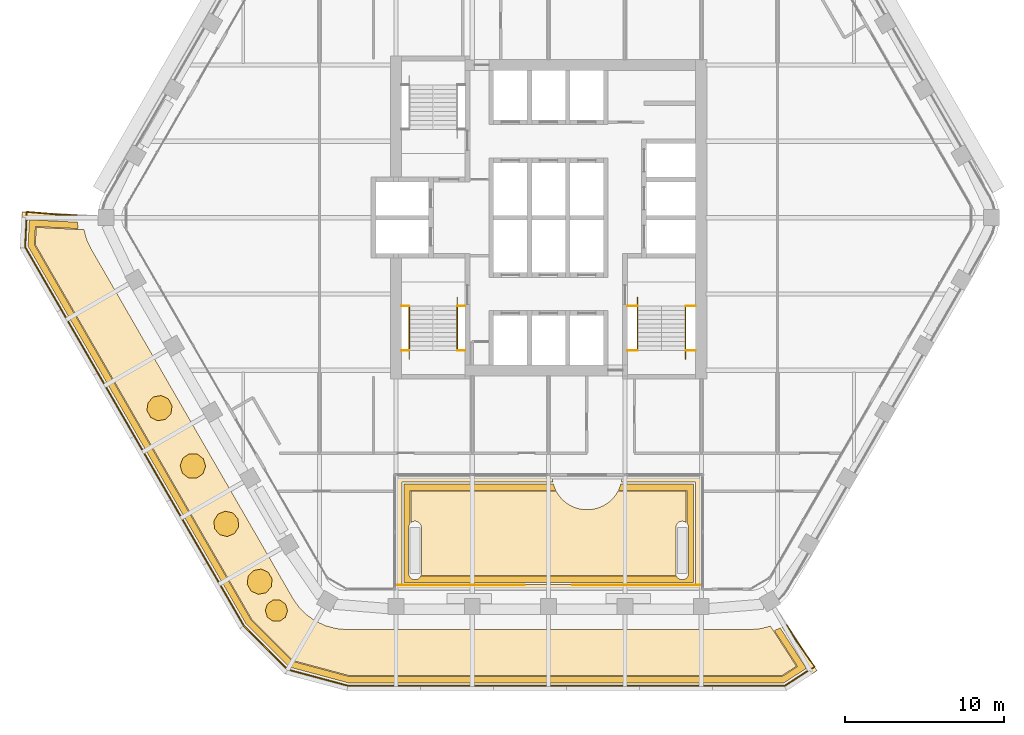
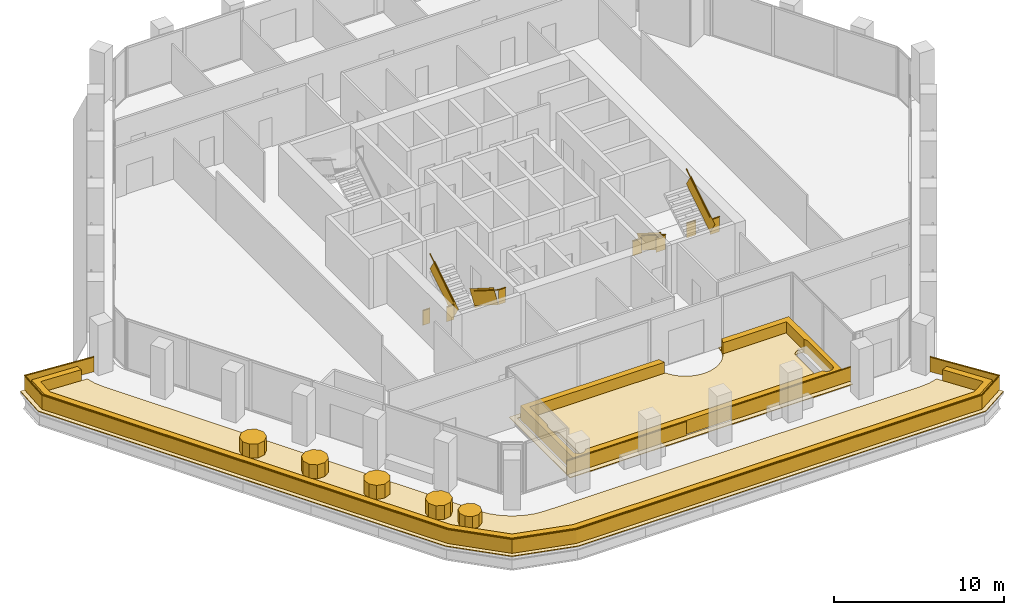
# One storey, part 17 of 18: 11 coverings, 6 railings.
"""IFC4 building model written with IfcOpenShell, lengths in metres."""

from ifc_helpers import new_model, si_unit, direction, frame, frame_2d, origin, origin_2d, place, context, subcontext, project, spatial, polyline, rectangle, outline, extrude, material, layer, layer_set, type_object, element, save


model = new_model("IFC4")

# Units and contexts
model_context = context("Model", 3, precision=1e-05, world=origin(), true_north=direction((0.0, 1.0)))
body_context = subcontext(model_context, "Body", "Model", "MODEL_VIEW")
ifc_project = project(units=[si_unit("LENGTHUNIT", "METRE"), si_unit("AREAUNIT", "SQUARE_METRE"), si_unit("VOLUMEUNIT", "CUBIC_METRE"), si_unit("PLANEANGLEUNIT", "RADIAN"), si_unit("MASSUNIT", "GRAM", prefix="KILO")], contexts=[model_context])

# Site, building, storey
site_placement = place(None, origin())
site = spatial("IfcSite", under=ifc_project, at=site_placement, CompositionType="ELEMENT")
building_placement = place(site_placement, origin())
building = spatial("IfcBuilding", under=site, at=building_placement, Name="Kolab Exchange Tower", CompositionType="ELEMENT")
storey_placement = place(building_placement, frame((0.0, 0.0, 212.89990234375)))
storey = spatial("IfcBuildingStorey", under=building, at=storey_placement, Name="L46", CompositionType="ELEMENT", Elevation=212.89990234375)

# Coverings
ifc_material_1 = material(Name="Flowering shrub planting", Category="soil")
ifc_layer_1 = layer(ifc_material_1, 1.0)
ifc_layer_set_1 = layer_set([ifc_layer_1], Name="Flowering shrub planting")
covering_type_1 = type_object("IfcCoveringType", Name="FLOWERING SHRUB PLANTING", PredefinedType="USERDEFINED", material=ifc_layer_set_1)
covering_1_placement = place(storey_placement, frame((0.0, 0.0, 0.25)))
element("IfcCovering", 1, at=covering_1_placement, inside=storey, type_object=covering_type_1, Name="Flowering shrub", ObjectType="PLANTING", PredefinedType="USERDEFINED", context=body_context, shape_type="SweptSolid", body=[
    extrude(outline(polyline([(-17.379638671875, -22.726806640625), (-17.622802734375, -22.296142578125), (-18.072509765625, -22.0908203125), (-18.55712890625, -22.189208984375), (-18.891357421875, -22.553466796875), (-18.94775390625, -23.044677734375), (-18.70458984375, -23.47509765625), (-18.254638671875, -23.680419921875), (-17.770263671875, -23.582275390625), (-17.435791015625, -23.218017578125), (-17.379638671875, -22.726806640625)])), origin(), (0.0, 0.0, 1.0), 1.0),
])
covering_2_placement = place(storey_placement, frame((0.0, 0.0, 0.25)))
element("IfcCovering", 2, at=covering_2_placement, inside=storey, type_object=covering_type_1, Name="Flowering shrub", ObjectType="PLANTING", PredefinedType="USERDEFINED", context=body_context, shape_type="SweptSolid", body=[
    extrude(outline(polyline([(-19.52685546875, -18.93701171875), (-19.8505859375, -18.563232421875), (-20.332275390625, -18.451416015625), (-20.78759765625, -18.64404296875), (-21.04296875, -19.0673828125), (-21.00048828125, -19.56005859375), (-20.676513671875, -19.93359375), (-20.195068359375, -20.045654296875), (-19.73974609375, -19.85302734375), (-19.484375, -19.4296875), (-19.52685546875, -18.93701171875)])), origin(), (0.0, 0.0, 1.0), 1.0),
])
covering_3_placement = place(storey_placement, frame((0.0, 0.0, 0.25)))
element("IfcCovering", 3, at=covering_3_placement, inside=storey, type_object=covering_type_1, Name="Flowering shrub", ObjectType="PLANTING", PredefinedType="USERDEFINED", context=body_context, shape_type="SweptSolid", body=[
    extrude(outline(polyline([(-21.703369140625, -15.15966796875), (-22.094970703125, -14.857666015625), (-22.589111328125, -14.84375), (-22.997314453125, -15.123046875), (-23.163330078125, -15.588623046875), (-23.02392578125, -16.06298828125), (-22.63232421875, -16.36474609375), (-22.137939453125, -16.37890625), (-21.72998046875, -16.099609375), (-21.56396484375, -15.634033203125), (-21.703369140625, -15.15966796875)])), origin(), (0.0, 0.0, 1.0), 1.0),
])
covering_4_placement = place(storey_placement, frame((0.0, 0.0, 0.25)))
element("IfcCovering", 4, at=covering_4_placement, inside=storey, type_object=covering_type_1, Name="Flowering shrub", ObjectType="PLANTING", PredefinedType="USERDEFINED", context=body_context, shape_type="SweptSolid", body=[
    extrude(outline(polyline([(-23.90625, -11.400146484375), (-24.35009765625, -11.18212890625), (-24.837158203125, -11.2666015625), (-25.181640625, -11.621337890625), (-25.251953125, -12.11083984375), (-25.02099609375, -12.548095703125), (-24.5771484375, -12.76611328125), (-24.090087890625, -12.681640625), (-23.74560546875, -12.326904296875), (-23.67529296875, -11.83740234375), (-23.90625, -11.400146484375)])), origin(), (0.0, 0.0, 1.0), 1.0),
])

# Railings
ifc_material_2 = material(Name="Stainless steel 316", Category="steel")
railing_type_1 = type_object("IfcRailingType", Name="GUARD 1100", PredefinedType="GUARDRAIL", material=ifc_material_2)
railing_1_placement = place(storey_placement, frame((-9.25, -5.550048828125, 0.0)))
element("IfcRailing", 5, at=railing_1_placement, inside=storey, type_object=railing_type_1, Name="Guard ST3", PredefinedType="GUARDRAIL", context=body_context, shape_type="SweptSolid", body=[
    extrude(rectangle(XDim=0.05, YDim=0.05, at=origin_2d()), frame((0.0, 0.0, 1.0751953125), z_axis=(1.0, 0.0, 0.0), x_axis=(0.0, 1.0, 0.0)), (0.0, 0.0, 1.0), 0.489990234375),
    extrude(rectangle(XDim=0.012, YDim=1.05009765625, at=frame_2d((0.0, 0.525146484375))), frame((0.0, 0.0, 0.0), z_axis=(1.0, 0.0, 0.0), x_axis=(0.0, 1.0, 0.0)), (0.0, 0.0, 1.0), 0.489990234375),
    extrude(rectangle(XDim=0.05, YDim=0.05, at=origin_2d()), frame((3.510009765625, 0.0, 1.0751953125), z_axis=(1.0, 0.0, 0.0), x_axis=(0.0, 1.0, 0.0)), (0.0, 0.0, 1.0), 0.489990234375),
    extrude(rectangle(XDim=0.012, YDim=1.05009765625, at=frame_2d((0.0, 0.525146484375))), frame((3.510009765625, 0.0, 0.0), z_axis=(1.0, 0.0, 0.0), x_axis=(0.0, 1.0, 0.0)), (0.0, 0.0, 1.0), 0.489990234375),
    extrude(rectangle(XDim=0.05, YDim=0.05, at=origin_2d()), frame((0.0, -2.800048828125, 3.025390625), z_axis=(1.0, 0.0, 0.0), x_axis=(0.0, 1.0, 0.0)), (0.0, 0.0, 1.0), 0.489990234375),
    extrude(rectangle(XDim=0.012, YDim=1.05009765625, at=frame_2d((0.0, 0.525146484375))), frame((0.0, -2.800048828125, 1.9501953125), z_axis=(1.0, 0.0, 0.0), x_axis=(0.0, 1.0, 0.0)), (0.0, 0.0, 1.0), 0.489990234375),
    extrude(rectangle(XDim=0.05, YDim=0.05, at=origin_2d()), frame((3.510009765625, -2.800048828125, 3.025390625), z_axis=(1.0, 0.0, 0.0), x_axis=(0.0, 1.0, 0.0)), (0.0, 0.0, 1.0), 0.489990234375),
    extrude(rectangle(XDim=0.012, YDim=1.05009765625, at=frame_2d((0.0, 0.525146484375))), frame((3.510009765625, -2.800048828125, 1.9501953125), z_axis=(1.0, 0.0, 0.0), x_axis=(0.0, 1.0, 0.0)), (0.0, 0.0, 1.0), 0.489990234375),
])
railing_2_placement = place(storey_placement, frame((-5.739990234375, -5.550048828125, 0.177490234375)))
element("IfcRailing", 6, at=railing_2_placement, inside=storey, type_object=railing_type_1, Name="Handrail guard ST3", PredefinedType="GUARDRAIL", context=body_context, shape_type="SweptSolid", body=[
    extrude(rectangle(XDim=0.05, YDim=0.05, at=origin_2d()), frame((0.0, 0.0, 1.0751953125), z_axis=(0.0, -0.844908973607, 0.534910110503), x_axis=(1.0, 0.0, 0.0)), (0.0, 0.0, 1.0), 3.31396484375),
    extrude(rectangle(XDim=0.012, YDim=1.05009765625, at=frame_2d((0.0, 0.525146484375))), frame((0.0, 0.0, 0.0), z_axis=(0.0, -0.844908973607, 0.534910110503), x_axis=(1.0, 0.0, 0.0)), (0.0, 0.0, 1.0), 3.31396484375),
    extrude(rectangle(XDim=0.05, YDim=0.05, at=origin_2d()), frame((-3.02001953125, -2.800048828125, 3.025146484375), z_axis=(0.0, 0.844908973607, 0.534910110503), x_axis=(-1.0, 0.0, 0.0)), (0.0, 0.0, 1.0), 3.31396484375),
    extrude(rectangle(XDim=0.012, YDim=1.05009765625, at=frame_2d((0.0, 0.525146484375))), frame((-3.02001953125, -2.800048828125, 1.949951171875), z_axis=(0.0, 0.844908973607, 0.534910110503), x_axis=(-1.0, 0.0, 0.0)), (0.0, 0.0, 1.0), 3.31396484375),
])
railing_3_placement = place(storey_placement, frame((4.949951171875, -5.550048828125, 0.0)))
element("IfcRailing", 7, at=railing_3_placement, inside=storey, type_object=railing_type_1, Name="Guard ST2", PredefinedType="GUARDRAIL", context=body_context, shape_type="SweptSolid", body=[
    extrude(rectangle(XDim=0.05, YDim=0.05, at=origin_2d()), frame((0.0, 0.0, 1.0751953125), z_axis=(1.0, 0.0, 0.0), x_axis=(0.0, 1.0, 0.0)), (0.0, 0.0, 1.0), 0.64013671875),
    extrude(rectangle(XDim=0.012, YDim=1.05009765625, at=frame_2d((0.0, 0.525146484375))), frame((0.0, 0.0, 0.0), z_axis=(1.0, 0.0, 0.0), x_axis=(0.0, 1.0, 0.0)), (0.0, 0.0, 1.0), 0.64013671875),
    extrude(rectangle(XDim=0.05, YDim=0.05, at=origin_2d()), frame((3.66015625, 0.0, 1.0751953125), z_axis=(1.0, 0.0, 0.0), x_axis=(0.0, 1.0, 0.0)), (0.0, 0.0, 1.0), 0.639892578125),
    extrude(rectangle(XDim=0.012, YDim=1.05009765625, at=frame_2d((0.0, 0.525146484375))), frame((3.66015625, 0.0, 0.0), z_axis=(1.0, 0.0, 0.0), x_axis=(0.0, 1.0, 0.0)), (0.0, 0.0, 1.0), 0.639892578125),
    extrude(rectangle(XDim=0.05, YDim=0.05, at=origin_2d()), frame((0.0, -2.800048828125, 3.025390625), z_axis=(1.0, 0.0, 0.0), x_axis=(0.0, 1.0, 0.0)), (0.0, 0.0, 1.0), 0.64013671875),
    extrude(rectangle(XDim=0.012, YDim=1.05009765625, at=frame_2d((0.0, 0.525146484375))), frame((0.0, -2.800048828125, 1.9501953125), z_axis=(1.0, 0.0, 0.0), x_axis=(0.0, 1.0, 0.0)), (0.0, 0.0, 1.0), 0.64013671875),
    extrude(rectangle(XDim=0.05, YDim=0.05, at=origin_2d()), frame((3.66015625, -2.800048828125, 3.025390625), z_axis=(1.0, 0.0, 0.0), x_axis=(0.0, 1.0, 0.0)), (0.0, 0.0, 1.0), 0.639892578125),
    extrude(rectangle(XDim=0.012, YDim=1.05009765625, at=frame_2d((0.0, 0.525146484375))), frame((3.66015625, -2.800048828125, 1.9501953125), z_axis=(1.0, 0.0, 0.0), x_axis=(0.0, 1.0, 0.0)), (0.0, 0.0, 1.0), 0.639892578125),
])
railing_4_placement = place(storey_placement, frame((5.590087890625, -5.550048828125, 0.177490234375)))
element("IfcRailing", 8, at=railing_4_placement, inside=storey, type_object=railing_type_1, Name="Handrail guard ST2", PredefinedType="GUARDRAIL", context=body_context, shape_type="SweptSolid", body=[
    extrude(rectangle(XDim=0.05, YDim=0.05, at=origin_2d()), frame((0.0, 0.0, 1.0751953125), z_axis=(0.0, -0.844908973607, 0.534910110503), x_axis=(1.0, 0.0, 0.0)), (0.0, 0.0, 1.0), 3.31396484375),
    extrude(rectangle(XDim=0.012, YDim=1.05009765625, at=frame_2d((0.0, 0.525146484375))), frame((0.0, 0.0, 0.0), z_axis=(0.0, -0.844908973607, 0.534910110503), x_axis=(1.0, 0.0, 0.0)), (0.0, 0.0, 1.0), 3.31396484375),
    extrude(rectangle(XDim=0.05, YDim=0.05, at=origin_2d()), frame((3.02001953125, -2.800048828125, 3.025146484375), z_axis=(0.0, 0.844908973607, 0.534910110503), x_axis=(-1.0, 0.0, 0.0)), (0.0, 0.0, 1.0), 3.31396484375),
    extrude(rectangle(XDim=0.012, YDim=1.05009765625, at=frame_2d((0.0, 0.525146484375))), frame((3.02001953125, -2.800048828125, 1.949951171875), z_axis=(0.0, 0.844908973607, 0.534910110503), x_axis=(-1.0, 0.0, 0.0)), (0.0, 0.0, 1.0), 3.31396484375),
])
ifc_material_3 = material(Name="Steel S235", Category="steel")
railing_type_2 = type_object("IfcRailingType", Name="GUARD 1100 GLASS BALUSTRADE AND STEEL TOP RAIL", PredefinedType="GUARDRAIL", material=ifc_material_3)
railing_5_placement = place(storey_placement, frame((14.16796875, -24.53955078125, 0.0)))
element("IfcRailing", 9, at=railing_5_placement, inside=storey, type_object=railing_type_2, Name="Terrace guard", PredefinedType="GUARDRAIL", context=body_context, shape_type="SweptSolid", body=[
    extrude(rectangle(XDim=0.05, YDim=0.05, at=origin_2d()), frame((0.0, 0.0, 1.0751953125), z_axis=(0.570324587803, -0.821419420605, 0.0), x_axis=(0.821419420605, 0.570324587803, 0.0)), (0.0, 0.0, 1.0), 4.496826171875),
    extrude(rectangle(XDim=0.012, YDim=1.05009765625, at=frame_2d((0.0, 0.525146484375))), frame((0.0, 0.0, 0.0), z_axis=(0.570324587803, -0.821419420605, 0.0), x_axis=(0.821419420605, 0.570324587803, 0.0)), (0.0, 0.0, 1.0), 4.496826171875),
    extrude(rectangle(XDim=0.05, YDim=0.05, at=origin_2d()), frame((2.564697265625, -3.69384765625, 1.0751953125), z_axis=(-0.839993562867, -0.542596364108, 0.0), x_axis=(0.542596364108, -0.839993562867, 0.0)), (0.0, 0.0, 1.0), 2.226318359375),
    extrude(rectangle(XDim=0.012, YDim=1.05009765625, at=frame_2d((0.0, 0.525146484375))), frame((2.564697265625, -3.69384765625, 0.0), z_axis=(-0.839993562867, -0.542596364108, 0.0), x_axis=(0.542596364108, -0.839993562867, 0.0)), (0.0, 0.0, 1.0), 2.226318359375),
    extrude(rectangle(XDim=0.05, YDim=0.05, at=origin_2d()), frame((0.694580078125, -4.90185546875, 1.0751953125), z_axis=(-1.0, 0.0, 0.0), x_axis=(0.0, -1.0, 0.0)), (0.0, 0.0, 1.0), 27.490966796875),
    extrude(rectangle(XDim=0.012, YDim=1.05009765625, at=frame_2d((0.0, 0.525146484375))), frame((0.694580078125, -4.90185546875, 0.0), z_axis=(-1.0, 0.0, 0.0), x_axis=(0.0, -1.0, 0.0)), (0.0, 0.0, 1.0), 27.490966796875),
    extrude(rectangle(XDim=0.05, YDim=0.05, at=origin_2d()), frame((-26.79638671875, -4.90185546875, 1.0751953125), z_axis=(-0.965929136584, 0.258806690596, 0.0), x_axis=(-0.258806690596, -0.965929136584, 0.0)), (0.0, 0.0, 1.0), 3.917724609375),
    extrude(rectangle(XDim=0.012, YDim=1.05009765625, at=frame_2d((0.0, 0.525146484375))), frame((-26.79638671875, -4.90185546875, 0.0), z_axis=(-0.965929136584, 0.258806690596, 0.0), x_axis=(-0.258806690596, -0.965929136584, 0.0)), (0.0, 0.0, 1.0), 3.917724609375),
    extrude(rectangle(XDim=0.05, YDim=0.05, at=origin_2d()), frame((-30.58056640625, -3.887939453125, 1.0751953125), z_axis=(-0.707106781187, 0.707106781187, 0.0), x_axis=(-0.707106781187, -0.707106781187, 0.0)), (0.0, 0.0, 1.0), 3.917724609375),
    extrude(rectangle(XDim=0.012, YDim=1.05009765625, at=frame_2d((0.0, 0.525146484375))), frame((-30.58056640625, -3.887939453125, 0.0), z_axis=(-0.707106781187, 0.707106781187, 0.0), x_axis=(-0.707106781187, -0.707106781187, 0.0)), (0.0, 0.0, 1.0), 3.917724609375),
    extrude(rectangle(XDim=0.05, YDim=0.05, at=origin_2d()), frame((-33.350830078125, -1.11767578125, 1.0751953125), z_axis=(-0.500003555397, 0.866023351065, 0.0), x_axis=(-0.866023351065, -0.500003555397, 0.0)), (0.0, 0.0, 1.0), 27.490966796875),
    extrude(rectangle(XDim=0.012, YDim=1.05009765625, at=frame_2d((0.0, 0.525146484375))), frame((-33.350830078125, -1.11767578125, 0.0), z_axis=(-0.500003555397, 0.866023351065, 0.0), x_axis=(-0.866023351065, -0.500003555397, 0.0)), (0.0, 0.0, 1.0), 27.490966796875),
    extrude(rectangle(XDim=0.05, YDim=0.05, at=origin_2d()), frame((-47.096435546875, 22.690185546875, 1.0751953125), z_axis=(0.050003246507, 0.998749055238, 0.0), x_axis=(-0.998749055238, 0.050003246507, 0.0)), (0.0, 0.0, 1.0), 2.226318359375),
    extrude(rectangle(XDim=0.012, YDim=1.05009765625, at=frame_2d((0.0, 0.525146484375))), frame((-47.096435546875, 22.690185546875, 0.0), z_axis=(0.050003246507, 0.998749055238, 0.0), x_axis=(-0.998749055238, 0.050003246507, 0.0)), (0.0, 0.0, 1.0), 2.226318359375),
    extrude(rectangle(XDim=0.05, YDim=0.05, at=origin_2d()), frame((-46.985107421875, 24.913818359375, 1.0751953125), z_axis=(0.996530389676, -0.083229696942, 0.0), x_axis=(0.083229696942, 0.996530389676, 0.0)), (0.0, 0.0, 1.0), 4.496826171875),
    extrude(rectangle(XDim=0.012, YDim=1.05009765625, at=frame_2d((0.0, 0.525146484375))), frame((-46.985107421875, 24.913818359375, 0.0), z_axis=(0.996530389676, -0.083229696942, 0.0), x_axis=(0.083229696942, 0.996530389676, 0.0)), (0.0, 0.0, 1.0), 4.496826171875),
])
railing_6_placement = place(storey_placement, frame((9.639892578125, -23.091552734375, 0.0)))
element("IfcRailing", 10, at=railing_6_placement, inside=storey, type_object=railing_type_2, Name="Terrace guard", PredefinedType="GUARDRAIL", context=body_context, shape_type="SweptSolid", body=[
    extrude(rectangle(XDim=0.05, YDim=0.05, at=origin_2d()), frame((0.0, 0.0, 1.0751953125), z_axis=(-1.0, 0.0, 0.0), x_axis=(0.0, -1.0, 0.0)), (0.0, 0.0, 1.0), 8.139892578125),
    extrude(rectangle(XDim=0.012, YDim=1.05009765625, at=frame_2d((0.0, 0.525146484375))), frame((0.0, 0.0, 0.0), z_axis=(-1.0, 0.0, 0.0), x_axis=(0.0, -1.0, 0.0)), (0.0, 0.0, 1.0), 8.139892578125),
    extrude(rectangle(XDim=0.05, YDim=0.05, at=origin_2d()), frame((-19.27978515625, 0.0, 1.0751953125), z_axis=(1.0, 0.0, 0.0), x_axis=(0.0, 1.0, 0.0)), (0.0, 0.0, 1.0), 8.139892578125),
    extrude(rectangle(XDim=0.012, YDim=1.05009765625, at=frame_2d((0.0, 0.525146484375))), frame((-19.27978515625, 0.0, 0.0), z_axis=(1.0, 0.0, 0.0), x_axis=(0.0, 1.0, 0.0)), (0.0, 0.0, 1.0), 8.139892578125),
])

# Coverings
ifc_material_4 = material(Name="Dense shrub planting", Category="soil")
ifc_layer_2 = layer(ifc_material_4, 1.39990234375)
ifc_layer_set_2 = layer_set([ifc_layer_2], Name="Dense shrub planting")
covering_type_2 = type_object("IfcCoveringType", Name="PLANTED TRELLIS SCREEN AND SHRUB BED", PredefinedType="USERDEFINED", material=ifc_layer_set_2)
covering_5_placement = place(storey_placement, frame((0.0, 0.0, 0.25)))
element("IfcCovering", 11, at=covering_5_placement, inside=storey, type_object=covering_type_2, Name="Shrub bed", ObjectType="PLANTING", PredefinedType="USERDEFINED", context=body_context, shape_type="SweptSolid", body=[
    extrude(outline(polyline([(-16.41357421875, -24.704345703125), (-16.54736328125, -24.29296875), (-16.897216796875, -24.03857421875), (-17.329833984375, -24.03857421875), (-17.679931640625, -24.29296875), (-17.813720703125, -24.704345703125), (-17.679931640625, -25.11572265625), (-17.329833984375, -25.3701171875), (-16.897216796875, -25.3701171875), (-16.54736328125, -25.11572265625), (-16.41357421875, -24.704345703125)])), origin(), (0.0, 0.0, 1.0), 0.900146484375),
])
ifc_material_5 = material(Name="Planting soil and turf", Category="soil")
ifc_layer_3 = layer(ifc_material_5, 0.25)
ifc_layer_set_3 = layer_set([ifc_layer_3], Name="Planting soil and turf")
covering_type_3 = type_object("IfcCoveringType", Name="PLANTING SOIL AND TURF 250", PredefinedType="USERDEFINED", material=ifc_layer_set_3)
covering_6_placement = place(storey_placement, origin())
element("IfcCovering", 12, at=covering_6_placement, inside=storey, type_object=covering_type_3, Name="Planting soil and turf", ObjectType="PLANTING", PredefinedType="USERDEFINED", context=body_context, shape_type="SweptSolid", body=[
    extrude(outline(polyline([(8.64990234375, -19.16943359375), (8.622314453125, -19.14892578125), (8.588623046875, -19.128662109375), (8.552978515625, -19.112060546875), (8.51611328125, -19.098876953125), (8.47802734375, -19.089111328125), (8.439208984375, -19.08349609375), (8.39990234375, -19.08154296875), (8.36083984375, -19.08349609375), (8.322021484375, -19.089111328125), (8.283935546875, -19.098876953125), (8.246826171875, -19.112060546875), (8.21142578125, -19.128662109375), (8.177734375, -19.14892578125), (8.146240234375, -19.17236328125), (8.1171875, -19.19873046875), (8.0908203125, -19.227783203125), (8.0673828125, -19.25927734375), (8.047119140625, -19.29296875), (8.030517578125, -19.328369140625), (8.017333984375, -19.365478515625), (8.007568359375, -19.403564453125), (8.001953125, -19.4423828125), (8.0, -19.4814453125), (8.0, -22.361572265625), (8.001953125, -22.400634765625), (8.007568359375, -22.439453125), (8.017333984375, -22.4775390625), (8.022216796875, -22.491455078125), (-8.022216796875, -22.491455078125), (-8.017333984375, -22.4775390625), (-8.007568359375, -22.439453125), (-8.001953125, -22.400634765625), (-8.0, -22.361572265625), (-8.0, -19.4814453125), (-8.001953125, -19.4423828125), (-8.007568359375, -19.403564453125), (-8.017333984375, -19.365478515625), (-8.030517578125, -19.328369140625), (-8.047119140625, -19.29296875), (-8.0673828125, -19.25927734375), (-8.0908203125, -19.227783203125), (-8.1171875, -19.19873046875), (-8.146240234375, -19.17236328125), (-8.177734375, -19.14892578125), (-8.21142578125, -19.128662109375), (-8.246826171875, -19.112060546875), (-8.283935546875, -19.098876953125), (-8.322021484375, -19.089111328125), (-8.36083984375, -19.08349609375), (-8.39990234375, -19.08154296875), (-8.439208984375, -19.08349609375), (-8.47802734375, -19.089111328125), (-8.51611328125, -19.098876953125), (-8.552978515625, -19.112060546875), (-8.588623046875, -19.128662109375), (-8.622314453125, -19.14892578125), (-8.64990234375, -19.16943359375), (-8.64990234375, -17.191650390625), (0.476318359375, -17.191650390625), (0.479736328125, -17.198486328125), (0.5908203125, -17.3837890625), (0.719482421875, -17.55712890625), (0.8642578125, -17.71728515625), (1.0244140625, -17.862060546875), (1.19775390625, -17.99072265625), (1.3828125, -18.101806640625), (1.578125, -18.194091796875), (1.781494140625, -18.266845703125), (1.99072265625, -18.3193359375), (2.204345703125, -18.350830078125), (2.419921875, -18.361572265625), (2.6357421875, -18.350830078125), (2.84912109375, -18.3193359375), (3.05859375, -18.266845703125), (3.261962890625, -18.194091796875), (3.45703125, -18.101806640625), (3.642333984375, -17.99072265625), (3.815673828125, -17.862060546875), (3.9755859375, -17.71728515625), (4.12060546875, -17.55712890625), (4.249267578125, -17.3837890625), (4.360107421875, -17.198486328125), (4.363525390625, -17.191650390625), (8.64990234375, -17.191650390625), (8.64990234375, -19.16943359375)])), origin(), (0.0, 0.0, 1.0), 0.25),
])
covering_7_placement = place(storey_placement, origin())
element("IfcCovering", 13, at=covering_7_placement, inside=storey, type_object=covering_type_3, Name="Planting soil and turf", ObjectType="PLANTING", PredefinedType="USERDEFINED", context=body_context, shape_type="SweptSolid", body=[
    extrude(outline(polyline([(-29.051025390625, -1.352294921875), (-28.77734375, -1.939208984375), (-16.068115234375, -23.952392578125), (-15.69677734375, -24.48291015625), (-15.209228515625, -24.97021484375), (-14.644775390625, -25.365478515625), (-14.020263671875, -25.65673828125), (-13.3544921875, -25.835205078125), (-12.709228515625, -25.8916015625), (12.709228515625, -25.8916015625), (13.3544921875, -25.835205078125), (13.94921875, -25.67578125), (15.58203125, -28.202880859375), (14.6708984375, -28.79150390625), (-12.542724609375, -28.79150390625), (-16.076171875, -27.8447265625), (-18.66259765625, -25.25830078125), (-32.269775390625, -1.6904296875), (-32.215576171875, -0.60693359375), (-29.21044921875, -0.75732421875), (-29.051025390625, -1.352294921875)])), origin(), (0.0, 0.0, 1.0), 0.25),
])
ifc_material_6 = material(Name="Limestone coping", Category="masonry")
ifc_layer_4 = layer(ifc_material_6, 0.050048828125)
ifc_layer_set_4 = layer_set([ifc_layer_4], Name="Limestone coping")
covering_type_4 = type_object("IfcCoveringType", Name="TERRACE EDGE BAND LIMESTONE 50", PredefinedType="CLADDING", material=ifc_layer_set_4)
covering_8_placement = place(storey_placement, origin())
element("IfcCovering", 14, at=covering_8_placement, inside=storey, type_object=covering_type_4, Name="Terrace edge band", PredefinedType="CLADDING", context=body_context, shape_type="SweptSolid", body=[
    extrude(outline(polyline([(-9.580078125, -23.421630859375), (-9.580078125, -16.261474609375), (0.224853515625, -16.261474609375), (0.230712890625, -16.377197265625), (0.26220703125, -16.5908203125), (0.267578125, -16.611572265625), (-9.22998046875, -16.611572265625), (-9.22998046875, -23.071533203125), (9.22998046875, -23.071533203125), (9.22998046875, -16.611572265625), (4.572509765625, -16.611572265625), (4.57763671875, -16.5908203125), (4.609375, -16.377197265625), (4.614990234375, -16.261474609375), (9.580078125, -16.261474609375), (9.580078125, -23.421630859375), (-9.580078125, -23.421630859375)])), origin(), (0.0, 0.0, 1.0), 0.050048828125),
])
covering_9_placement = place(storey_placement, origin())
element("IfcCovering", 15, at=covering_9_placement, inside=storey, type_object=covering_type_4, Name="Terrace edge band", PredefinedType="CLADDING", context=body_context, shape_type="SweptSolid", body=[
    extrude(outline(polyline([(14.9453125, -29.721435546875), (-12.665283203125, -29.721435546875), (-16.5576171875, -28.678466796875), (-19.406982421875, -25.8291015625), (-33.212158203125, -1.917724609375), (-33.097900390625, 0.368408203125), (-29.623779296875, 0.194580078125), (-29.630859375, 0.11328125), (-29.635986328125, 0.0), (-29.630859375, -0.11328125), (-29.627197265625, -0.15576171875), (-32.765869140625, 0.001220703125), (-32.857421875, -1.832275390625), (-19.126708984375, -25.6142578125), (-16.37646484375, -28.36474609375), (-12.619140625, -29.37158203125), (14.842041015625, -29.37158203125), (16.384033203125, -28.37548828125), (14.6787109375, -25.73583984375), (14.71728515625, -25.7177734375), (14.81787109375, -25.66552734375), (14.91357421875, -25.6044921875), (14.980224609375, -25.557861328125), (16.867919921875, -28.4794921875), (14.9453125, -29.721435546875)])), origin(), (0.0, 0.0, 1.0), 0.050048828125),
])
ifc_material_7 = material(Name="Terrace hedge planting", Category="soil")
ifc_layer_5 = layer(ifc_material_7, 1.0)
ifc_layer_set_5 = layer_set([ifc_layer_5], Name="Terrace hedge planting")
covering_type_5 = type_object("IfcCoveringType", Name="TERRACE HEDGE 1000 X 400", PredefinedType="USERDEFINED", material=ifc_layer_set_5)
covering_10_placement = place(storey_placement, origin())
element("IfcCovering", 16, at=covering_10_placement, inside=storey, type_object=covering_type_5, Name="Terrace hedge", ObjectType="PLANTING", PredefinedType="USERDEFINED", context=body_context, shape_type="SweptSolid", body=[
    extrude(outline(polyline([(-9.10009765625, -22.941650390625), (-9.10009765625, -16.741455078125), (0.300048828125, -16.741455078125), (0.314697265625, -16.800048828125), (0.387451171875, -17.00341796875), (0.452880859375, -17.1416015625), (-8.699951171875, -17.1416015625), (-8.699951171875, -19.217529296875), (-8.709228515625, -19.227783203125), (-8.732666015625, -19.25927734375), (-8.752685546875, -19.29296875), (-8.76953125, -19.328369140625), (-8.78271484375, -19.365478515625), (-8.792236328125, -19.403564453125), (-8.798095703125, -19.4423828125), (-8.800048828125, -19.4814453125), (-8.800048828125, -22.361572265625), (-8.798095703125, -22.400634765625), (-8.792236328125, -22.439453125), (-8.78271484375, -22.4775390625), (-8.76953125, -22.5146484375), (-8.752685546875, -22.550048828125), (-8.732666015625, -22.583740234375), (-8.709228515625, -22.615234375), (-8.682861328125, -22.644287109375), (-8.65380859375, -22.670654296875), (-8.622314453125, -22.694091796875), (-8.588623046875, -22.71435546875), (-8.552978515625, -22.731201171875), (-8.51611328125, -22.744384765625), (-8.47802734375, -22.75390625), (-8.439208984375, -22.759521484375), (-8.39990234375, -22.761474609375), (-8.36083984375, -22.759521484375), (-8.322021484375, -22.75390625), (-8.283935546875, -22.744384765625), (-8.246826171875, -22.731201171875), (-8.21142578125, -22.71435546875), (-8.177734375, -22.694091796875), (-8.146240234375, -22.670654296875), (-8.1171875, -22.644287109375), (-8.0908203125, -22.615234375), (-8.0673828125, -22.583740234375), (-8.047119140625, -22.550048828125), (-8.043212890625, -22.54150390625), (8.043212890625, -22.54150390625), (8.047119140625, -22.550048828125), (8.0673828125, -22.583740234375), (8.0908203125, -22.615234375), (8.1171875, -22.644287109375), (8.146240234375, -22.670654296875), (8.177734375, -22.694091796875), (8.21142578125, -22.71435546875), (8.246826171875, -22.731201171875), (8.283935546875, -22.744384765625), (8.322021484375, -22.75390625), (8.36083984375, -22.759521484375), (8.39990234375, -22.761474609375), (8.439208984375, -22.759521484375), (8.47802734375, -22.75390625), (8.51611328125, -22.744384765625), (8.552978515625, -22.731201171875), (8.588623046875, -22.71435546875), (8.622314453125, -22.694091796875), (8.65380859375, -22.670654296875), (8.682861328125, -22.644287109375), (8.709228515625, -22.615234375), (8.732666015625, -22.583740234375), (8.752685546875, -22.550048828125), (8.76953125, -22.5146484375), (8.78271484375, -22.4775390625), (8.792236328125, -22.439453125), (8.798095703125, -22.400634765625), (8.800048828125, -22.361572265625), (8.800048828125, -19.4814453125), (8.798095703125, -19.4423828125), (8.792236328125, -19.403564453125), (8.78271484375, -19.365478515625), (8.76953125, -19.328369140625), (8.752685546875, -19.29296875), (8.732666015625, -19.25927734375), (8.709228515625, -19.227783203125), (8.699951171875, -19.217529296875), (8.699951171875, -17.1416015625), (4.38720703125, -17.1416015625), (4.45263671875, -17.00341796875), (4.525390625, -16.800048828125), (4.5400390625, -16.741455078125), (9.10009765625, -16.741455078125), (9.10009765625, -22.941650390625), (-9.10009765625, -22.941650390625)])), origin(), (0.0, 0.0, 1.0), 1.0),
])
covering_11_placement = place(storey_placement, origin())
element("IfcCovering", 17, at=covering_11_placement, inside=storey, type_object=covering_type_5, Name="Terrace hedge", ObjectType="PLANTING", PredefinedType="USERDEFINED", context=body_context, shape_type="SweptSolid", body=[
    extrude(outline(polyline([(16.2041015625, -28.336669921875), (14.8037109375, -29.241455078125), (-12.60205078125, -29.241455078125), (-16.30908203125, -28.248291015625), (-19.022705078125, -25.534423828125), (-32.725830078125, -1.80029296875), (-32.642333984375, -0.135009765625), (-29.61572265625, -0.28662109375), (-29.58544921875, -0.63427734375), (-29.578125, -0.68896484375), (-32.262939453125, -0.554443359375), (-32.3203125, -1.70263671875), (-18.70263671875, -25.288818359375), (-16.10205078125, -27.8896484375), (-12.54931640625, -28.841552734375), (14.685791015625, -28.841552734375), (15.651123046875, -28.2177734375), (14.1923828125, -25.9599609375), (14.243408203125, -25.938720703125), (14.559814453125, -25.791259765625), (16.2041015625, -28.336669921875)])), origin(), (0.0, 0.0, 1.0), 1.0),
])

save(model, "model.ifc")
